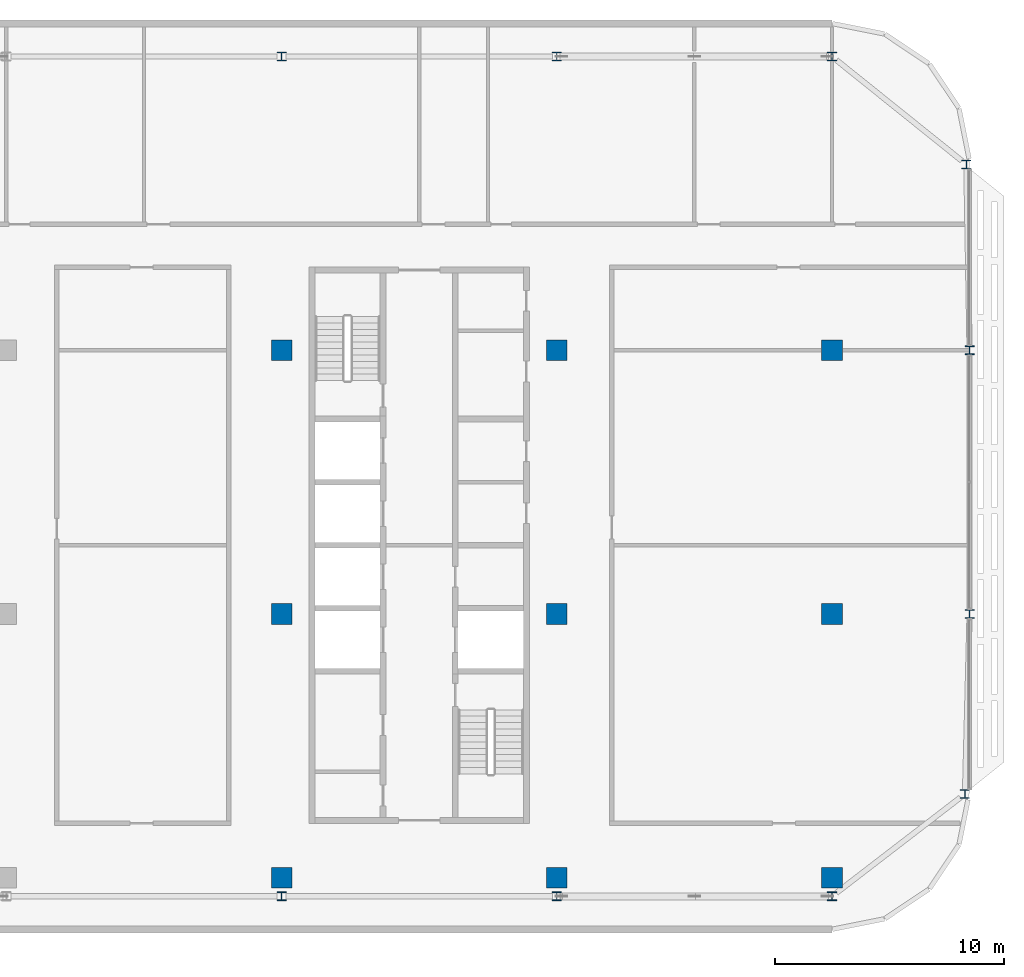
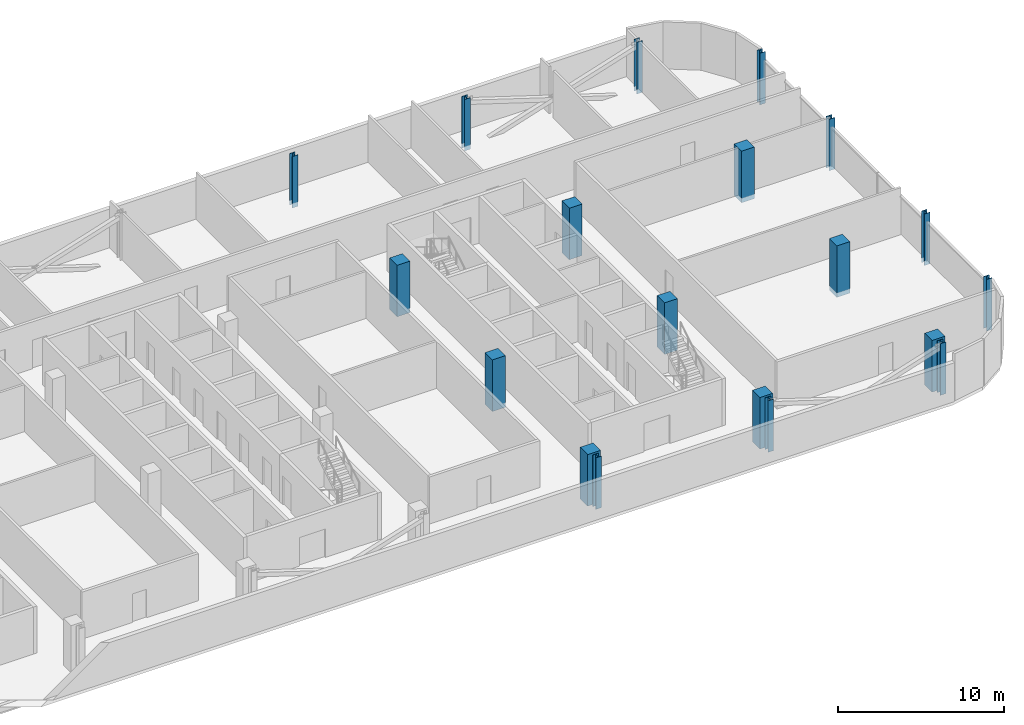
# One storey, part 4 of 28: 19 columns.
"""IFC4 building model written with IfcOpenShell, lengths in metres."""

from ifc_helpers import new_model, si_unit, direction, frame, origin, origin_2d, place, context, subcontext, project, spatial, rectangle, i_section, extrude, material, material_profile, profile_set, type_object, element, save


model = new_model("IFC4")

# Units and contexts
model_context = context("Model", 3, precision=1e-05, world=origin(), true_north=direction((0.0, 1.0)))
body_context = subcontext(model_context, "Body", "Model", "MODEL_VIEW")
ifc_project = project(units=[si_unit("LENGTHUNIT", "METRE"), si_unit("AREAUNIT", "SQUARE_METRE"), si_unit("VOLUMEUNIT", "CUBIC_METRE"), si_unit("PLANEANGLEUNIT", "RADIAN"), si_unit("MASSUNIT", "GRAM", prefix="KILO")], contexts=[model_context])

# Site, building, storey
site_placement = place(None, origin())
site = spatial("IfcSite", under=ifc_project, at=site_placement, CompositionType="ELEMENT")
building_placement = place(site_placement, origin())
building = spatial("IfcBuilding", under=site, at=building_placement, Name="Mahtab Terrace Research Tower", CompositionType="ELEMENT")
storey_placement = place(building_placement, frame((0.0, 0.0, 267.10009765625)))
storey = spatial("IfcBuildingStorey", under=building, at=storey_placement, Name="L65", CompositionType="ELEMENT", Elevation=267.10009765625)

# Columns
ifc_material_1 = material(Name="Concrete C70/85", Category="concrete")
ifc_material_profile_1 = material_profile(ifc_material_1, rectangle(XDim=0.89990234375, YDim=0.89990234375, at=origin_2d()), Name="RC column 900x900")
ifc_profile_set_1 = profile_set([ifc_material_profile_1], Name="Concrete C70/85")
column_type_1 = type_object("IfcColumnType", Name="RC column 900x900", PredefinedType="COLUMN", material=ifc_profile_set_1)
for number, where, z_axis, x_axis, name in (
    (1, (18.0, -11.5, -0.340087890625), (0.0, 0.0, 1.0), (1.0, 0.0, 0.0), "Column RC-6A L65"),
    (2, (18.0, 0.0, -0.340087890625), (0.0, 0.0, 1.0), (1.0, 0.0, 0.0), "Column RC-6B L65"),
    (3, (18.0, 11.5, -0.340087890625), (0.0, 0.0, 1.0), (1.0, 0.0, 0.0), "Column RC-6C L65"),
    (4, (30.0, -11.5, -0.340087890625), (0.0, 0.0, 1.0), (1.0, 0.0, 0.0), "Column RC-7A L65"),
    (5, (30.0, 0.0, -0.340087890625), (0.0, 0.0, 1.0), (1.0, 0.0, 0.0), "Column RC-7B L65"),
    (6, (30.0, 11.5, -0.340087890625), (0.0, 0.0, 1.0), (1.0, 0.0, 0.0), "Column RC-7C L65"),
    (7, (42.0, -11.5, -0.340087890625), (0.0, 0.0, 1.0), (1.0, 0.0, 0.0), "Column RC-8A L65"),
    (8, (42.0, 0.0, -0.340087890625), (0.0, 0.0, 1.0), (1.0, 0.0, 0.0), "Column RC-8B L65"),
    (9, (42.0, 11.5, -0.340087890625), (0.0, 0.0, 1.0), (1.0, 0.0, 0.0), "Column RC-8C L65"),
):
    element("IfcColumn", number, at=place(storey_placement, frame(where, z_axis=z_axis, x_axis=x_axis)), inside=storey, type_object=column_type_1, Name=name, PredefinedType="COLUMN", context=body_context, shape_type="SweptSolid", body=[
        extrude(rectangle(XDim=0.89990234375, YDim=0.89990234375, at=origin_2d()), origin(), (0.0, 0.0, 1.0), 3.800048828125),
    ])
ifc_material_2 = material(Name="Steel ASTM A992 Gr 50", Category="steel")
ifc_material_profile_2 = material_profile(ifc_material_2, i_section(OverallWidth=0.393798828125, OverallDepth=0.3759765625, WebThickness=0.017333984375, FlangeThickness=0.027587890625, at=origin_2d()), Name="W14X145")
ifc_profile_set_2 = profile_set([ifc_material_profile_2], Name="Steel ASTM A992 Gr 50")
column_type_2 = type_object("IfcColumnType", Name="W14x145 column CS14145", PredefinedType="COLUMN", material=ifc_profile_set_2)
for number, where, z_axis, x_axis, name in (
    (10, (47.85693359375, 19.60498046875, -0.340087890625), (0.0, 0.0, 1.0), (1.0, 0.0, 0.0), "Column SC-070 L65"),
    (11, (42.0, 24.306884765625, -0.340087890625), (0.0, 0.0, 1.0), (1.0, 0.0, 0.0), "Column SC-071 L65"),
    (12, (30.0, 24.306884765625, -0.340087890625), (0.0, 0.0, 1.0), (1.0, 0.0, 0.0), "Column SC-072 L65"),
    (13, (18.0, 24.306884765625, -0.340087890625), (0.0, 0.0, 1.0), (1.0, 0.0, 0.0), "Column SC-073 L65"),
    (14, (18.0, -12.306884765625, -0.340087890625), (0.0, 0.0, 1.0), (1.0, 0.0, 0.0), "Column SC-086 L65"),
    (15, (30.0, -12.306884765625, -0.340087890625), (0.0, 0.0, 1.0), (1.0, 0.0, 0.0), "Column SC-087 L65"),
    (16, (42.0, -12.306884765625, -0.340087890625), (0.0, 0.0, 1.0), (1.0, 0.0, 0.0), "Column SC-088 L65"),
    (17, (47.798095703125, -7.847900390625, -0.340087890625), (0.0, 0.0, 1.0), (1.0, 0.0, 0.0), "Column SC-089 L65"),
    (18, (48.0, 0.0, -0.340087890625), (0.0, 0.0, 1.0), (1.0, 0.0, 0.0), "Column SC-021 L65"),
    (19, (48.0, 11.5, -0.340087890625), (0.0, 0.0, 1.0), (1.0, 0.0, 0.0), "Column SC-022 L65"),
):
    element("IfcColumn", number, at=place(storey_placement, frame(where, z_axis=z_axis, x_axis=x_axis)), inside=storey, type_object=column_type_2, Name=name, PredefinedType="COLUMN", context=body_context, shape_type="SweptSolid", body=[
        extrude(i_section(OverallWidth=0.393798828125, OverallDepth=0.3759765625, WebThickness=0.017333984375, FlangeThickness=0.027587890625, at=origin_2d()), origin(), (0.0, 0.0, 1.0), 3.800048828125),
    ])

save(model, "model.ifc")
